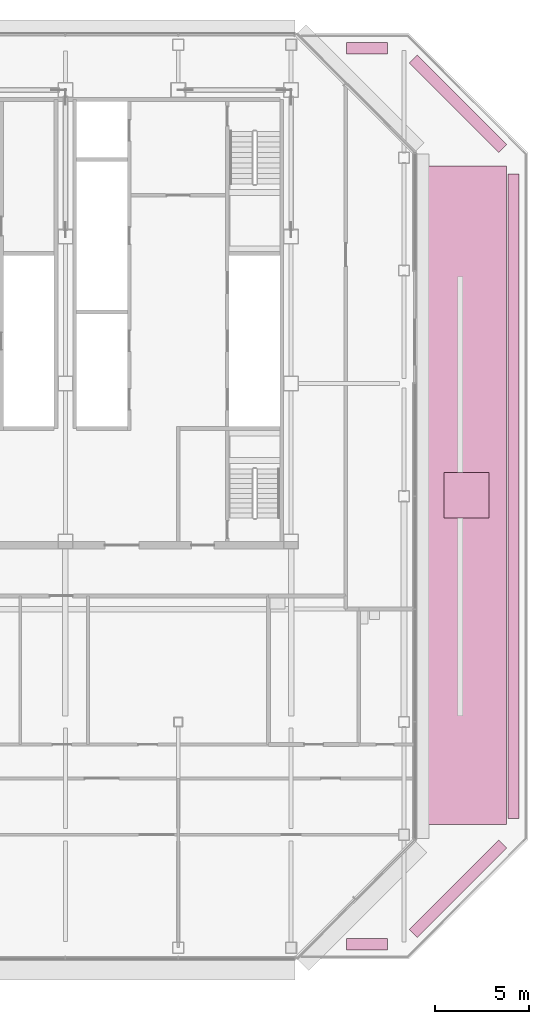
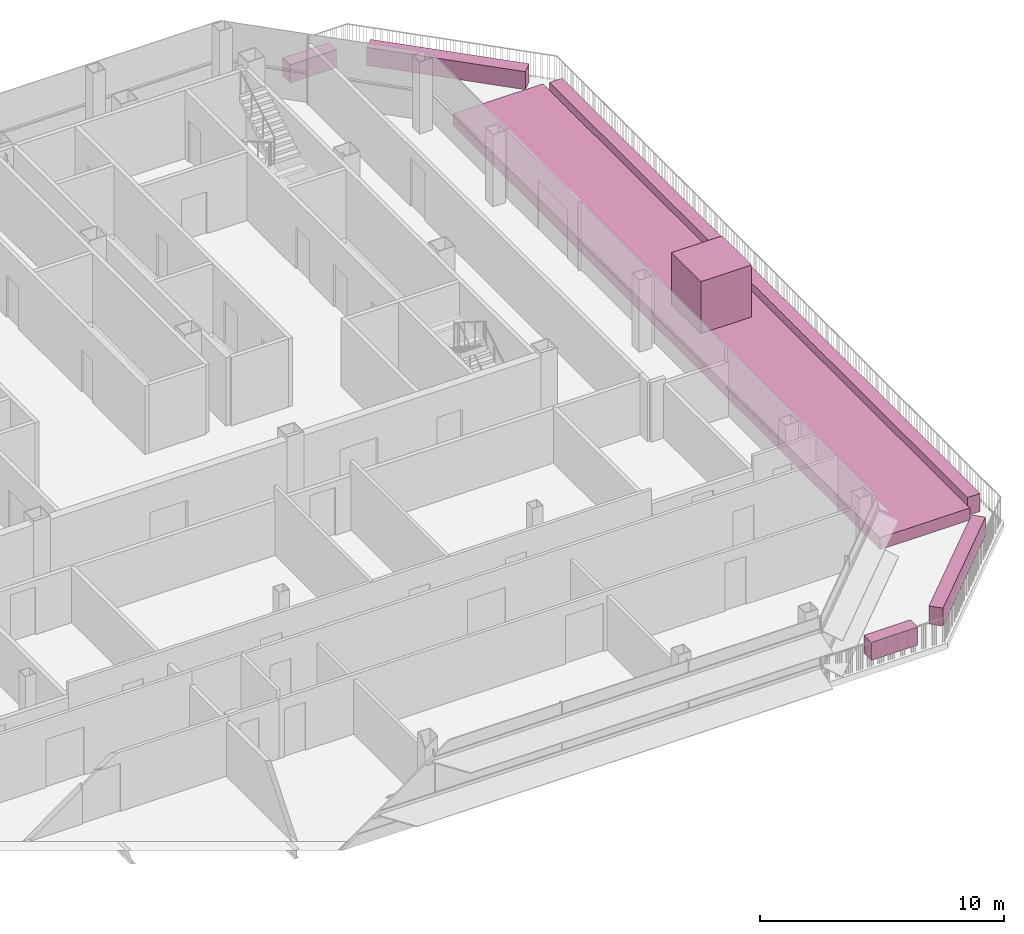
# One storey, part 28 of 28: 7 furniture elements.
"""IFC4 building model written with IfcOpenShell, lengths in metres."""

from ifc_helpers import new_model, si_unit, direction, frame, origin, origin_2d, place, context, subcontext, project, spatial, rectangle, extrude, material, type_object, element, save


model = new_model("IFC4")

# Units and contexts
model_context = context("Model", 3, precision=1e-05, world=origin(), true_north=direction((0.0, 1.0)))
body_context = subcontext(model_context, "Body", "Model", "MODEL_VIEW")
ifc_project = project(units=[si_unit("LENGTHUNIT", "METRE"), si_unit("AREAUNIT", "SQUARE_METRE"), si_unit("VOLUMEUNIT", "CUBIC_METRE"), si_unit("PLANEANGLEUNIT", "RADIAN"), si_unit("MASSUNIT", "GRAM", prefix="KILO")], contexts=[model_context])

# Site, building, storey
site_placement = place(None, origin())
site = spatial("IfcSite", under=ifc_project, at=site_placement, CompositionType="ELEMENT")
building_placement = place(site_placement, origin())
building = spatial("IfcBuilding", under=site, at=building_placement, Name="Sorahane Residences", CompositionType="ELEMENT")
storey_placement = place(building_placement, frame((0.0, 0.0, 290.800048828125)))
storey = spatial("IfcBuildingStorey", under=building, at=storey_placement, Name="L68", CompositionType="ELEMENT", Elevation=290.800048828125)

# Furniture
ifc_material_1 = material(Name="Planting soil with shrubs in a steel-framed bed", Category="steel")
furniture_type_1 = type_object("IfcFurnitureType", Name="PLANTER bed black steel frame with soil 4250x35000", AssemblyPlace="NOTDEFINED", PredefinedType="NOTDEFINED", material=ifc_material_1)
furniture_1_placement = place(storey_placement, frame((51.324951171875, 24.050048828125, 0.0), z_axis=(0.0, 0.0, 1.0), x_axis=(1.0, 0.0, 0.0)))
element("IfcFurniture", 1, at=furniture_1_placement, inside=storey, type_object=furniture_type_1, Name="PLANTER bed L67.1.1", PredefinedType="NOTDEFINED", context=body_context, shape_type="SweptSolid", body=[
    extrude(rectangle(XDim=4.25, YDim=35.0, at=origin_2d()), origin(), (0.0, 0.0, 1.0), 0.60009765625),
])
ifc_material_2 = material(Name="Planting soil with hedge in a steel-framed trough", Category="steel")
furniture_type_2 = type_object("IfcFurnitureType", Name="PLANTER hedge strip black steel frame with soil", AssemblyPlace="NOTDEFINED", PredefinedType="NOTDEFINED", material=ifc_material_2)
furniture_2_placement = place(storey_placement, frame((46.028564453125, 47.820068359375, 0.0), z_axis=(0.0, 0.0, 1.0), x_axis=(1.0, 0.0, 0.0)))
element("IfcFurniture", 2, at=furniture_2_placement, inside=storey, type_object=furniture_type_2, Name="PLANTER hedge L67.1.1", PredefinedType="NOTDEFINED", context=body_context, shape_type="SweptSolid", body=[
    extrude(rectangle(XDim=2.19384765625, YDim=0.60009765625, at=origin_2d()), origin(), (0.0, 0.0, 1.0), 0.89990234375),
])
furniture_3_placement = place(storey_placement, frame((50.872802734375, 44.872802734375, 0.0), z_axis=(0.0, 0.0, 1.0), x_axis=(0.707106781187, -0.707106781187, 0.0)))
element("IfcFurniture", 3, at=furniture_3_placement, inside=storey, type_object=furniture_type_2, Name="PLANTER hedge L67.1.2", PredefinedType="NOTDEFINED", context=body_context, shape_type="SweptSolid", body=[
    extrude(rectangle(XDim=6.736083984375, YDim=0.60009765625, at=origin_2d()), origin(), (0.0, 0.0, 1.0), 0.89990234375),
])
furniture_4_placement = place(storey_placement, frame((53.820068359375, 24.0, 0.0), z_axis=(0.0, 0.0, 1.0), x_axis=(0.0, -1.0, 0.0)))
element("IfcFurniture", 4, at=furniture_4_placement, inside=storey, type_object=furniture_type_2, Name="PLANTER hedge L67.1.3", PredefinedType="NOTDEFINED", context=body_context, shape_type="SweptSolid", body=[
    extrude(rectangle(XDim=34.2509765625, YDim=0.60009765625, at=origin_2d()), origin(), (0.0, 0.0, 1.0), 0.89990234375),
])
furniture_5_placement = place(storey_placement, frame((50.872802734375, 3.127197265625, 0.0), z_axis=(0.0, 0.0, 1.0), x_axis=(-0.707106781187, -0.707106781187, 0.0)))
element("IfcFurniture", 5, at=furniture_5_placement, inside=storey, type_object=furniture_type_2, Name="PLANTER hedge L67.1.4", PredefinedType="NOTDEFINED", context=body_context, shape_type="SweptSolid", body=[
    extrude(rectangle(XDim=6.736083984375, YDim=0.60009765625, at=origin_2d()), origin(), (0.0, 0.0, 1.0), 0.89990234375),
])
furniture_6_placement = place(storey_placement, frame((46.028564453125, 0.179931640625, 0.0), z_axis=(0.0, 0.0, 1.0), x_axis=(-1.0, 0.0, 0.0)))
element("IfcFurniture", 6, at=furniture_6_placement, inside=storey, type_object=furniture_type_2, Name="PLANTER hedge L67.1.5", PredefinedType="NOTDEFINED", context=body_context, shape_type="SweptSolid", body=[
    extrude(rectangle(XDim=2.19384765625, YDim=0.60009765625, at=origin_2d()), origin(), (0.0, 0.0, 1.0), 0.89990234375),
])
ifc_material_3 = material(Name="Green foliage shrub planting")
furniture_type_3 = type_object("IfcFurnitureType", Name="PLANTER shrub planting green foliage", AssemblyPlace="NOTDEFINED", PredefinedType="NOTDEFINED", material=ifc_material_3)
furniture_7_placement = place(storey_placement, frame((51.324951171875, 24.050048828125, 0.599853515625), z_axis=(0.0, 0.0, 1.0), x_axis=(1.0, 0.0, 0.0)))
element("IfcFurniture", 7, at=furniture_7_placement, inside=storey, type_object=furniture_type_3, Name="PLANTER shrub L67.1.1", PredefinedType="NOTDEFINED", context=body_context, shape_type="SweptSolid", body=[
    extrude(rectangle(XDim=2.39990234375, YDim=2.39990234375, at=origin_2d()), origin(), (0.0, 0.0, 1.0), 2.60009765625),
])

save(model, "model.ifc")
